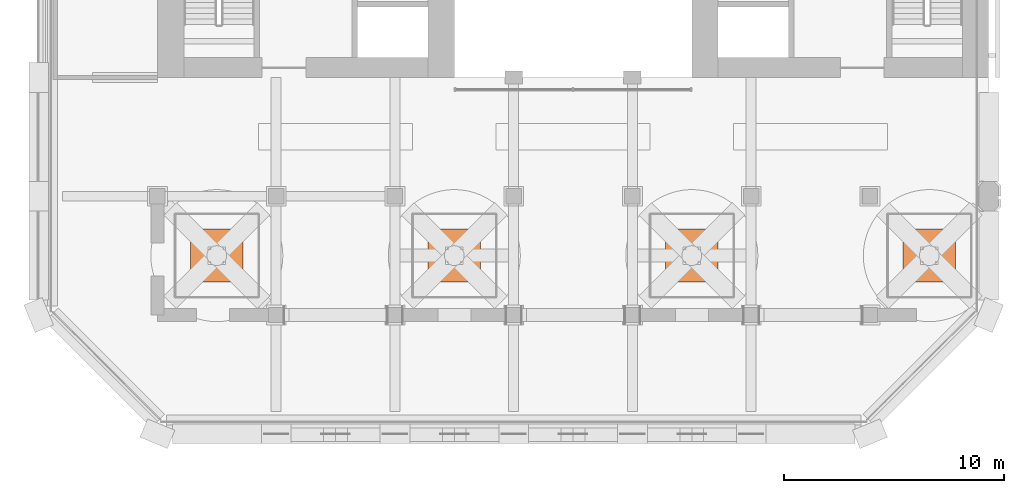
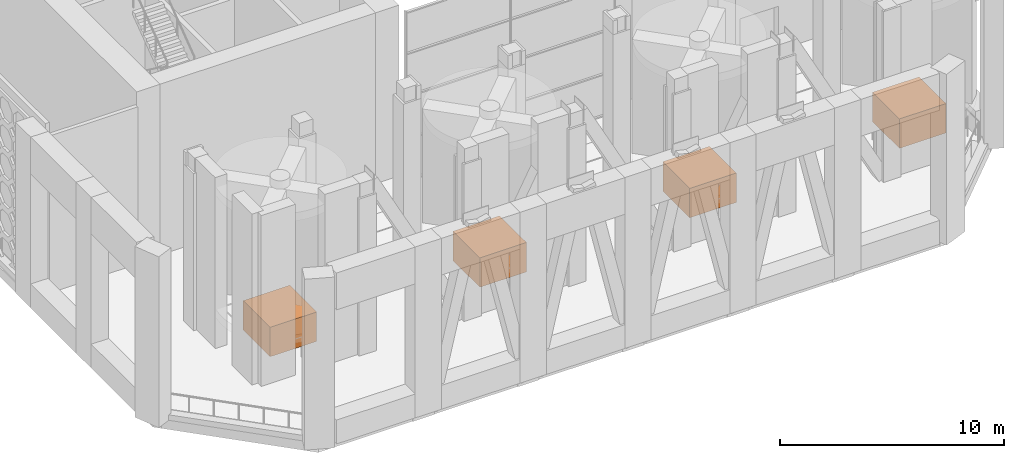
# One storey, part 28 of 28: 4 proxies.
"""IFC4 building model written with IfcOpenShell, lengths in metres."""

from ifc_helpers import new_model, si_unit, direction, frame, origin, origin_2d, place, context, subcontext, project, spatial, rectangle, extrude, element, save


model = new_model("IFC4")

# Units and contexts
model_context = context("Model", 3, precision=1e-05, world=origin(), true_north=direction((0.0, 1.0)))
body_context = subcontext(model_context, "Body", "Model", "MODEL_VIEW")
ifc_project = project(units=[si_unit("LENGTHUNIT", "METRE"), si_unit("AREAUNIT", "SQUARE_METRE"), si_unit("VOLUMEUNIT", "CUBIC_METRE"), si_unit("PLANEANGLEUNIT", "RADIAN"), si_unit("MASSUNIT", "GRAM", prefix="KILO")], contexts=[model_context])

# Site, building, storey
site_placement = place(None, origin())
site = spatial("IfcSite", under=ifc_project, at=site_placement, CompositionType="ELEMENT")
building_placement = place(site_placement, origin())
building = spatial("IfcBuilding", under=site, at=building_placement, Name="Tabaq Tower and Sports Hall", CompositionType="ELEMENT")
storey_placement = place(building_placement, frame((0.0, 0.0, 233.5)))
storey = spatial("IfcBuildingStorey", under=building, at=storey_placement, Name="L59", CompositionType="ELEMENT", Elevation=233.5)

# Proxies
for number, where, z_axis, x_axis, name in (
    (1, (8.10009765625, 8.10009765625, 0.0), (0.0, 0.0, 1.0), (1.0, 0.0, 0.0), "Turbine plinth 1"),
    (2, (18.89990234375, 8.10009765625, 0.0), (0.0, 0.0, 1.0), (1.0, 0.0, 0.0), "Turbine plinth 2"),
    (3, (29.699951171875, 8.10009765625, 0.0), (0.0, 0.0, 1.0), (1.0, 0.0, 0.0), "Turbine plinth 3"),
    (4, (40.5, 8.10009765625, 0.0), (0.0, 0.0, 1.0), (1.0, 0.0, 0.0), "Turbine plinth 4"),
):
    element("IfcBuildingElementProxy", number, at=place(storey_placement, frame(where, z_axis=z_axis, x_axis=x_axis)), inside=storey, Name=name, ObjectType="TURBINE PLINTH", PredefinedType="USERDEFINED", context=body_context, shape_type="SweptSolid", body=[
        extrude(rectangle(XDim=2.39990234375, YDim=2.39990234375, at=origin_2d()), origin(), (0.0, 0.0, 1.0), 1.60009765625),
    ])

save(model, "model.ifc")
